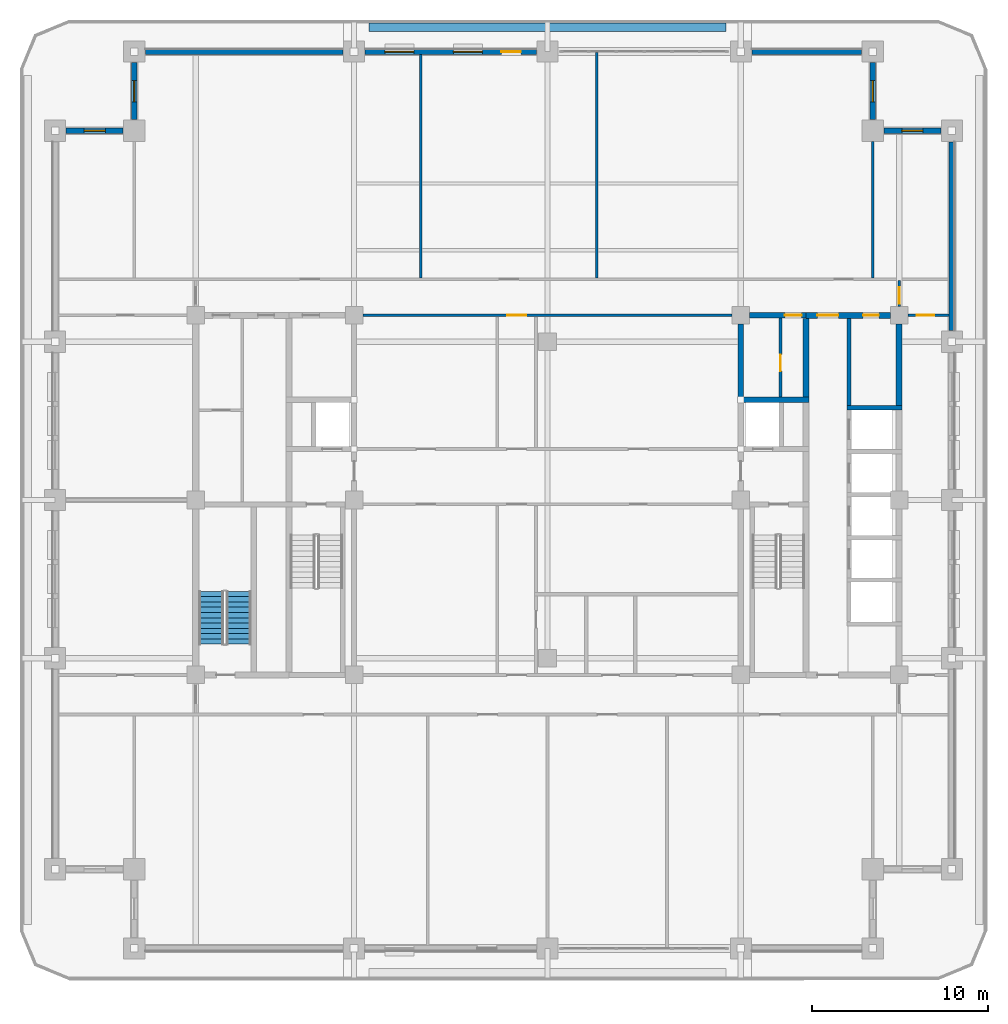
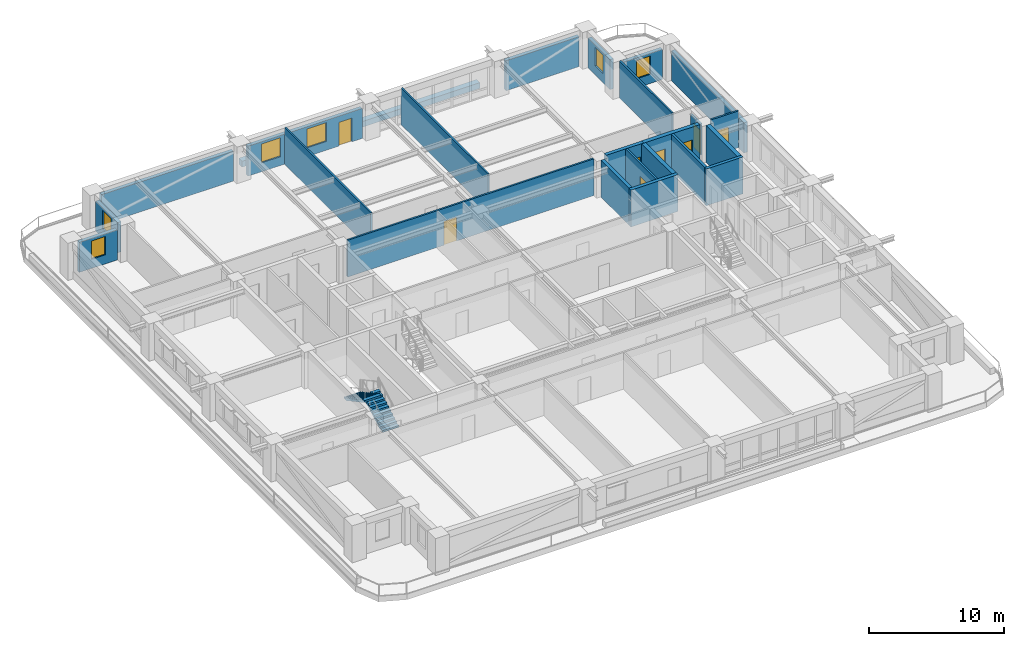
# One storey, part 11 of 20: 24 walls, 8 doors, 6 windows, 2 stair flights, 14 openings, 1 element without a shape of its own.
"""IFC4 building model written with IfcOpenShell, lengths in metres."""

import ifcopenshell
import ifcopenshell.guid

model = None  # the IFC model being written
_history = None  # IfcOwnerHistory: only IFC2X3 demands one
_inside = {}  # id of a spatial element -> (the spatial element, [elements in it])
_under = {}  # id of a project, library or spatial element -> (it, [spatial elements below it])
_declared = {}  # id of a project -> (the project, [libraries it declares])
_typed = {}  # id of a type object -> (the type object, [elements of that type])
_made_of = {}  # id of a material, layer set ... -> (it, [elements and type objects made of it])


def new_model(schema):
    """Start an empty IFC model of exactly this schema.

    Asked for "IFC4X3", IfcOpenShell would pick the latest addendum, in which some entities
    have other attributes; the version numbers below select the first issue.
    IFC2X3 requires an IfcOwnerHistory on every rooted entity: one is made here for all.
    """
    global model, _history
    if schema == "IFC4X3":
        model = ifcopenshell.file(schema_version=(4, 3, 0, 0))
    else:
        model = ifcopenshell.file(schema=schema)
    _inside.clear()
    _under.clear()
    _declared.clear()
    _typed.clear()
    _made_of.clear()
    _history = None
    if model.schema == "IFC2X3":
        org = make("IfcOrganization", Name="unknown")
        user = make(
            "IfcPersonAndOrganization",
            ThePerson=make("IfcPerson", FamilyName="unknown"),
            TheOrganization=org,
        )
        app = make(
            "IfcApplication",
            ApplicationDeveloper=org,
            Version="unknown",
            ApplicationFullName="unknown",
            ApplicationIdentifier="unknown",
        )
        _history = make(
            "IfcOwnerHistory",
            OwningUser=user,
            OwningApplication=app,
            ChangeAction="ADDED",
            CreationDate=0,
        )
    return model


def make(cls, **values):
    """One entity of the class cls with the attributes given. An attribute that is None is left unset."""
    return model.create_entity(
        cls, **{name: value for name, value in values.items() if value is not None}
    )


def rooted(cls, **values):
    """An entity with a GlobalId (a new one), such as an element, a storey or a relation."""
    return make(cls, GlobalId=ifcopenshell.guid.new(), OwnerHistory=_history, **values)


def si_unit(unit_type, name, prefix=None):
    """IfcSIUnit, for example si_unit("LENGTHUNIT", "METRE", prefix="MILLI")."""
    return make("IfcSIUnit", UnitType=unit_type, Prefix=prefix, Name=name)


def assignment(units):
    """IfcUnitAssignment: the units of a project."""
    return None if units is None else make("IfcUnitAssignment", Units=units)


def point(xyz):
    """IfcCartesianPoint."""
    return None if xyz is None else make("IfcCartesianPoint", Coordinates=xyz)


def direction(xyz):
    """IfcDirection."""
    return None if xyz is None else make("IfcDirection", DirectionRatios=xyz)


def frame(location, z_axis=None, x_axis=None):
    """IfcAxis2Placement3D, a coordinate frame: its origin and axes. An axis left out is left unset."""
    return make(
        "IfcAxis2Placement3D",
        Location=point(location),
        Axis=direction(z_axis),
        RefDirection=direction(x_axis),
    )


def frame_2d(location, x_axis=None):
    """IfcAxis2Placement2D, a coordinate frame in the plane: its origin and x axis."""
    return make(
        "IfcAxis2Placement2D", Location=point(location), RefDirection=direction(x_axis)
    )


def origin():
    """The frame at (0, 0, 0) with its axes left unset."""
    return frame((0.0, 0.0, 0.0))


def place(relative_to, where):
    """IfcLocalPlacement: puts the frame where relative to a parent placement (None: the world)."""
    return make(
        "IfcLocalPlacement", PlacementRelTo=relative_to, RelativePlacement=where
    )


def context(
    kind, dimensions, precision=None, world=None, true_north=None, identifier=None
):
    """IfcGeometricRepresentationContext, for example the 3D "Model" context."""
    return make(
        "IfcGeometricRepresentationContext",
        ContextIdentifier=identifier,
        ContextType=kind,
        CoordinateSpaceDimension=dimensions,
        Precision=precision,
        WorldCoordinateSystem=world,
        TrueNorth=true_north,
    )


def subcontext(parent, identifier, kind, view, scale=None):
    """IfcGeometricRepresentationSubContext, for example "Body" below "Model"."""
    return make(
        "IfcGeometricRepresentationSubContext",
        ContextIdentifier=identifier,
        ContextType=kind,
        ParentContext=parent,
        TargetScale=scale,
        TargetView=view,
    )


def project(units=None, contexts=None):
    """IfcProject with its units and contexts."""
    return rooted(
        "IfcProject",
        Name="project",
        RepresentationContexts=contexts,
        UnitsInContext=assignment(units),
    )


def spatial(cls, under=None, at=None, **own):
    """A site, building, storey or space (cls), placed at a placement, below another one or the project."""
    s = rooted(cls, ObjectPlacement=at, **own)
    if under is not None:
        _under.setdefault(under.id(), (under, []))[1].append(s)
    return s


def polyline(points):
    """IfcPolyline through the points."""
    return make("IfcPolyline", Points=[point(p) for p in points])


def profile(cls, at=None, kind="AREA", **sizes):
    """A parametric profile (cls). Its sizes go by their IFC names, for example OverallWidth=200.0."""
    return make(cls, ProfileType=kind, Position=at, **sizes)


def rectangle(**sizes):
    """IfcRectangleProfileDef."""
    return profile("IfcRectangleProfileDef", **sizes)


def outline(outer, holes=None, kind="AREA"):
    """IfcArbitraryClosedProfileDef: a profile drawn as a closed curve; with holes, ...WithVoids."""
    if holes is None:
        return make("IfcArbitraryClosedProfileDef", ProfileType=kind, OuterCurve=outer)
    return make(
        "IfcArbitraryProfileDefWithVoids",
        ProfileType=kind,
        OuterCurve=outer,
        InnerCurves=holes,
    )


def extrude(swept, where, along, depth):
    """IfcExtrudedAreaSolid: the profile swept, set in the frame where, extruded along a direction by depth."""
    return make(
        "IfcExtrudedAreaSolid",
        SweptArea=swept,
        Position=where,
        ExtrudedDirection=direction(along),
        Depth=depth,
    )


def shape(context_of_items, identifier, shape_type, items):
    """IfcShapeRepresentation: the items that make up one representation, for example the "Body"."""
    return make(
        "IfcShapeRepresentation",
        ContextOfItems=context_of_items,
        RepresentationIdentifier=identifier,
        RepresentationType=shape_type,
        Items=items,
    )


def material(Name=None, Category=None):
    """IfcMaterial."""
    return make("IfcMaterial", Name=Name, Category=Category)


def layer(
    of_material, thickness, ventilated=None, Name=None, Category=None, Priority=None
):
    """IfcMaterialLayer: one layer of a wall or slab, of a material (None: an air gap)."""
    return make(
        "IfcMaterialLayer",
        Material=of_material,
        LayerThickness=thickness,
        IsVentilated=ventilated,
        Name=Name,
        Category=Category,
        Priority=Priority,
    )


def layer_set(layers, Name=None):
    """IfcMaterialLayerSet."""
    return make("IfcMaterialLayerSet", MaterialLayers=layers, LayerSetName=Name)


def made_of(thing, what):
    """Note that an element or type object is made of a material, layer set ...; save() writes the relation."""
    if what is not None:
        _made_of.setdefault(what.id(), (what, []))[1].append(thing)
    return thing


def type_object(cls, material=None, **own):
    """A type object (cls), such as IfcWallType, which elements share."""
    return made_of(rooted(cls, **own), material)


def element(
    cls,
    number,
    at=None,
    inside=None,
    cuts=None,
    type_object=None,
    material=None,
    context=None,
    identifier="Body",
    shape_type=None,
    held_by="IfcProductDefinitionShape",
    body=None,
    shapes=None,
    **own,
):
    """One element of the class cls, such as IfcWall. Its Tag is "e" and its number.

    at: its placement. inside: the storey or other place that contains it. cuts: it is an
    opening in that element (IfcRelVoidsElement). A single representation is given by context,
    identifier, shape_type and body (its items); several are given by shapes. held_by: the class
    of the entity that holds the representations. save() writes the other relations.
    """
    e = rooted(cls, Tag="e%d" % number, ObjectPlacement=at, **own)
    if body is not None:
        shapes = [shape(context, identifier, shape_type, body)]
    if shapes is not None:
        e.Representation = make(held_by, Representations=shapes)
    if inside is not None:
        _inside.setdefault(inside.id(), (inside, []))[1].append(e)
    if cuts is not None:
        rooted(
            "IfcRelVoidsElement", RelatingBuildingElement=cuts, RelatedOpeningElement=e
        )
    if type_object is not None:
        _typed.setdefault(type_object.id(), (type_object, []))[1].append(e)
    return made_of(e, material)


def fill(opening, filler):
    """IfcRelFillsElement: the door or window that sits in an opening."""
    return rooted(
        "IfcRelFillsElement",
        RelatingOpeningElement=opening,
        RelatedBuildingElement=filler,
    )


def aggregate(whole, parts):
    """IfcRelAggregates: a whole, such as a stair, and the parts it consists of."""
    return rooted("IfcRelAggregates", RelatingObject=whole, RelatedObjects=parts)


def save(model, path):
    """Write the relations noted so far, then the file.

    IfcRelAggregates (storeys below a building ...), IfcRelContainedInSpatialStructure (elements
    in a storey), IfcRelDefinesByType, IfcRelAssociatesMaterial and IfcRelDeclares: one each for
    every whole, place, type object, material and project.
    """
    for whole, parts in _under.values():
        aggregate(whole, parts)
    for where, things in _inside.values():
        rooted(
            "IfcRelContainedInSpatialStructure",
            RelatedElements=things,
            RelatingStructure=where,
        )
    for kind, things in _typed.values():
        rooted("IfcRelDefinesByType", RelatedObjects=things, RelatingType=kind)
    for what, things in _made_of.values():
        rooted("IfcRelAssociatesMaterial", RelatedObjects=things, RelatingMaterial=what)
    for by, libraries in _declared.values():
        rooted("IfcRelDeclares", RelatingContext=by, RelatedDefinitions=libraries)
    model.write(path)


model = new_model("IFC4")

# Units and contexts
model_context = context("Model", 3, precision=1e-05, world=origin(), true_north=direction((0.0, 1.0)))
body_context = subcontext(model_context, "Body", "Model", "MODEL_VIEW")
ifc_project = project(units=[si_unit("LENGTHUNIT", "METRE"), si_unit("AREAUNIT", "SQUARE_METRE"), si_unit("VOLUMEUNIT", "CUBIC_METRE"), si_unit("PLANEANGLEUNIT", "RADIAN"), si_unit("MASSUNIT", "GRAM", prefix="KILO")], contexts=[model_context])

# Site, building, storey
site_placement = place(None, origin())
site = spatial("IfcSite", under=ifc_project, at=site_placement, CompositionType="ELEMENT")
building_placement = place(site_placement, origin())
building = spatial("IfcBuilding", under=site, at=building_placement, Name="Zulmaris Gate Convention Tower", CompositionType="ELEMENT")
storey_placement = place(building_placement, frame((0.0, 0.0, 142.769775390625)))
storey = spatial("IfcBuildingStorey", under=building, at=storey_placement, Name="L36", CompositionType="ELEMENT", Elevation=142.769775390625)

# Walls
ifc_material_1 = material(Name="Concrete C50/60", Category="concrete")
ifc_layer_1 = layer(ifc_material_1, 0.25, Name="Concrete C50/60")
ifc_layer_set_1 = layer_set([ifc_layer_1], Name="Concrete C50/60")
wall_type_1 = type_object("IfcWallType", Name="CORE-250", PredefinedType="SOLIDWALL", material=ifc_layer_set_1)
wall_1_placement = place(storey_placement, frame((17.02490234375, 5.25, 0.0), z_axis=(0.0, 0.0, 1.0), x_axis=(1.0, 0.0, 0.0)))
element("IfcWall", 1, at=wall_1_placement, inside=storey, type_object=wall_type_1, Name="WL-L36-014", PredefinedType="SOLIDWALL", context=body_context, shape_type="SweptSolid", body=[
    extrude(rectangle(XDim=3.150146484375, YDim=0.25, at=frame_2d((1.5751953125, 0.0))), origin(), (0.0, 0.0, 1.0), 3.320068359375),
])
ifc_layer_2 = layer(ifc_material_1, 0.300048828125, Name="Concrete C50/60")
ifc_layer_set_2 = layer_set([ifc_layer_2], Name="Concrete C50/60")
wall_type_2 = type_object("IfcWallType", Name="CORE-300", PredefinedType="SHEAR", material=ifc_layer_set_2)
wall_2_placement = place(storey_placement, frame((10.85009765625, 5.699951171875, 0.0), z_axis=(0.0, 0.0, 1.0), x_axis=(1.0, 0.0, 0.0)))
element("IfcWall", 2, at=wall_2_placement, inside=storey, type_object=wall_type_2, Name="WL-L36-016", PredefinedType="SHEAR", context=body_context, shape_type="SweptSolid", body=[
    extrude(rectangle(XDim=4.02490234375, YDim=0.300048828125, at=frame_2d((2.012451171875, 0.0))), origin(), (0.0, 0.0, 1.0), 3.320068359375),
])

# Wall, opening, door
wall_3_placement = place(storey_placement, frame((11.50390625, 10.5, 0.0), z_axis=(0.0, 0.0, 1.0), x_axis=(1.0, 0.0, 0.0)))
wall_3 = element("IfcWall", 3, at=wall_3_placement, inside=storey, type_object=wall_type_2, Name="WL-L36-019", PredefinedType="SHEAR", context=body_context, shape_type="SweptSolid", body=[
    extrude(rectangle(XDim=3.196044921875, YDim=0.300048828125, at=frame_2d((1.59814453125, 0.0))), origin(), (0.0, 0.0, 1.0), 3.320068359375),
])
opening_1_placement = place(wall_3_placement, frame((2.0009765625, 0.0, 0.0)))
opening_1 = element("IfcOpeningElement", 4, at=opening_1_placement, cuts=wall_3, Name="Opening D-11", PredefinedType="OPENING", context=body_context, shape_type="SweptSolid", body=[
    extrude(rectangle(XDim=0.949951171875, YDim=2.14990234375, at=frame_2d((0.47509765625, 1.074951171875))), frame((0.0, 0.16015625, 0.0), z_axis=(0.0, -1.0, 0.0), x_axis=(1.0, 0.0, 0.0)), (0.0, 0.0, 1.0), 0.320068359375),
])
ifc_material_2 = material(Name="Fire-Rated Timber", Category="wood")
door_type_1 = type_object("IfcDoorType", Name="DR-950-FD", OperationType="NOTDEFINED", PredefinedType="DOOR", material=ifc_material_2)
door_1_placement = place(opening_1_placement, origin())
door_1 = element("IfcDoor", 5, at=door_1_placement, inside=storey, type_object=door_type_1, Name="L36 Core Linen Closet Door 08", OperationType="SINGLE_SWING_RIGHT", OverallHeight=2.14990234375, OverallWidth=0.949951171875, PredefinedType="DOOR", context=body_context, shape_type="SweptSolid", body=[
    extrude(rectangle(XDim=0.949951171875, YDim=2.14990234375, at=frame_2d((0.47509765625, 1.074951171875))), frame((0.0, 0.02490234375, 0.0), z_axis=(0.0, -1.0, 0.0), x_axis=(1.0, 0.0, 0.0)), (0.0, 0.0, 1.0), 0.050048828125),
])
fill(opening_1, door_1)

# Wall
wall_4_placement = place(storey_placement, frame((11.0, 5.85205078125, 0.0), z_axis=(0.0, 0.0, 1.0), x_axis=(0.0, 1.0, 0.0)))
element("IfcWall", 6, at=wall_4_placement, inside=storey, type_object=wall_type_2, Name="WL-L36-050", PredefinedType="SHEAR", context=body_context, shape_type="SweptSolid", body=[
    extrude(rectangle(XDim=4.14404296875, YDim=0.300048828125, at=frame_2d((2.072021484375, 0.0))), origin(), (0.0, 0.0, 1.0), 3.320068359375),
])

# Wall, openings, doors
ifc_material_3 = material(Name="Concrete C55/67", Category="concrete")
ifc_layer_3 = layer(ifc_material_3, 0.35009765625, Name="Concrete C55/67")
ifc_layer_set_3 = layer_set([ifc_layer_3], Name="Concrete C55/67")
wall_type_3 = type_object("IfcWallType", Name="CORE-350", PredefinedType="SHEAR", material=ifc_layer_set_3)
wall_5_placement = place(storey_placement, frame((14.699951171875, 10.5, 0.0), z_axis=(0.0, 0.0, 1.0), x_axis=(1.0, 0.0, 0.0)))
wall_5 = element("IfcWall", 7, at=wall_5_placement, inside=storey, type_object=wall_type_3, Name="WL-L36-020", PredefinedType="SHEAR", context=body_context, shape_type="SweptSolid", body=[
    extrude(rectangle(XDim=4.796142578125, YDim=0.35009765625, at=frame_2d((2.39794921875, 0.0))), origin(), (0.0, 0.0, 1.0), 3.320068359375),
])
opening_2_placement = place(wall_5_placement, frame((0.64990234375, 0.0, 0.0)))
opening_2 = element("IfcOpeningElement", 8, at=opening_2_placement, cuts=wall_5, Name="Opening D-13", PredefinedType="OPENING", context=body_context, shape_type="SweptSolid", body=[
    extrude(rectangle(XDim=1.199951171875, YDim=2.14990234375, at=frame_2d((0.60009765625, 1.074951171875))), frame((0.0, 0.18505859375, 0.0), z_axis=(0.0, -1.0, 0.0), x_axis=(1.0, 0.0, 0.0)), (0.0, 0.0, 1.0), 0.3701171875),
])
opening_3_placement = place(wall_5_placement, frame((3.25, 0.0, 0.0)))
opening_3 = element("IfcOpeningElement", 9, at=opening_3_placement, cuts=wall_5, Name="Opening D-12", PredefinedType="OPENING", context=body_context, shape_type="SweptSolid", body=[
    extrude(rectangle(XDim=0.89990234375, YDim=2.14990234375, at=frame_2d((0.449951171875, 1.074951171875))), frame((0.0, 0.18505859375, 0.0), z_axis=(0.0, -1.0, 0.0), x_axis=(1.0, 0.0, 0.0)), (0.0, 0.0, 1.0), 0.3701171875),
])
ifc_material_4 = material(Name="Fire-Rated Steel", Category="steel")
door_type_2 = type_object("IfcDoorType", Name="DR-1200-FD", OperationType="NOTDEFINED", PredefinedType="DOOR", material=ifc_material_4)
door_2_placement = place(opening_2_placement, origin())
door_2 = element("IfcDoor", 10, at=door_2_placement, inside=storey, type_object=door_type_2, Name="L36 East Lift Lobby North Door 19", OperationType="SINGLE_SWING_LEFT", OverallHeight=2.14990234375, OverallWidth=1.199951171875, PredefinedType="DOOR", context=body_context, shape_type="SweptSolid", body=[
    extrude(rectangle(XDim=1.199951171875, YDim=2.14990234375, at=frame_2d((0.60009765625, 1.074951171875))), frame((0.0, 0.02490234375, 0.0), z_axis=(0.0, -1.0, 0.0), x_axis=(1.0, 0.0, 0.0)), (0.0, 0.0, 1.0), 0.050048828125),
])
fill(opening_2, door_2)
door_type_3 = type_object("IfcDoorType", Name="DR-900-FD", OperationType="NOTDEFINED", PredefinedType="DOOR", material=ifc_material_2)
door_3_placement = place(opening_3_placement, origin())
door_3 = element("IfcDoor", 11, at=door_3_placement, inside=storey, type_object=door_type_3, Name="L36 Mid-Rise Archive Door 20", OperationType="SINGLE_SWING_RIGHT", OverallHeight=2.14990234375, OverallWidth=0.89990234375, PredefinedType="DOOR", context=body_context, shape_type="SweptSolid", body=[
    extrude(rectangle(XDim=0.89990234375, YDim=2.14990234375, at=frame_2d((0.449951171875, 1.074951171875))), frame((0.0, 0.02490234375, 0.0), z_axis=(0.0, -1.0, 0.0), x_axis=(1.0, 0.0, 0.0)), (0.0, 0.0, 1.0), 0.050048828125),
])
fill(opening_3, door_3)

# Walls
wall_6_placement = place(storey_placement, frame((14.699951171875, 5.85205078125, 0.0), z_axis=(0.0, 0.0, 1.0), x_axis=(0.0, 1.0, 0.0)))
element("IfcWall", 12, at=wall_6_placement, inside=storey, type_object=wall_type_3, Name="WL-L36-056", PredefinedType="SHEAR", context=body_context, shape_type="SweptSolid", body=[
    extrude(rectangle(XDim=4.470947265625, YDim=0.35009765625, at=frame_2d((2.2353515625, 0.0))), origin(), (0.0, 0.0, 1.0), 3.320068359375),
])
wall_7_placement = place(storey_placement, frame((20.0, 5.376953125, 0.0), z_axis=(0.0, 0.0, 1.0), x_axis=(0.0, 1.0, 0.0)))
element("IfcWall", 13, at=wall_7_placement, inside=storey, type_object=wall_type_3, Name="WL-L36-068", PredefinedType="SHEAR", context=body_context, shape_type="SweptSolid", body=[
    extrude(rectangle(XDim=4.619140625, YDim=0.35009765625, at=frame_2d((2.3095703125, 0.0))), origin(), (0.0, 0.0, 1.0), 3.320068359375),
])

# Wall, opening, door
ifc_material_5 = material(Name="Gypsum Metal Stud Partition")
ifc_layer_4 = layer(ifc_material_5, 0.14990234375, Name="Gypsum Metal Stud Partition")
ifc_layer_set_4 = layer_set([ifc_layer_4], Name="Gypsum Metal Stud Partition")
wall_type_4 = type_object("IfcWallType", Name="PART-150", PredefinedType="PARTITIONING", material=ifc_layer_set_4)
wall_8_placement = place(storey_placement, frame((-10.493896484375, 10.5, 0.0), z_axis=(0.0, 0.0, 1.0), x_axis=(1.0, 0.0, 0.0)))
wall_8 = element("IfcWall", 14, at=wall_8_placement, inside=storey, type_object=wall_type_4, Name="WL-L36-031", PredefinedType="PARTITIONING", context=body_context, shape_type="SweptSolid", body=[
    extrude(rectangle(XDim=20.98779296875, YDim=0.14990234375, at=frame_2d((10.493896484375, 0.0))), origin(), (0.0, 0.0, 1.0), 3.320068359375),
])
opening_4_placement = place(wall_8_placement, frame((8.194091796875, 0.0, 0.0)))
opening_4 = element("IfcOpeningElement", 15, at=opening_4_placement, cuts=wall_8, Name="Opening D-08", PredefinedType="OPENING", context=body_context, shape_type="SweptSolid", body=[
    extrude(rectangle(XDim=1.10009765625, YDim=2.14990234375, at=frame_2d((0.550048828125, 1.074951171875))), frame((0.0, 0.0849609375, 0.0), z_axis=(0.0, -1.0, 0.0), x_axis=(1.0, 0.0, 0.0)), (0.0, 0.0, 1.0), 0.169921875),
])
door_type_4 = type_object("IfcDoorType", Name="DR-1100-FD", OperationType="NOTDEFINED", PredefinedType="DOOR", material=ifc_material_4)
door_4_placement = place(opening_4_placement, origin())
door_4 = element("IfcDoor", 16, at=door_4_placement, inside=storey, type_object=door_type_4, Name="L36 North Gallery Link Door 21", OperationType="SINGLE_SWING_LEFT", OverallHeight=2.14990234375, OverallWidth=1.10009765625, PredefinedType="DOOR", context=body_context, shape_type="SweptSolid", body=[
    extrude(rectangle(XDim=1.10009765625, YDim=2.14990234375, at=frame_2d((0.550048828125, 1.074951171875))), frame((0.0, 0.02490234375, 0.0), z_axis=(0.0, -1.0, 0.0), x_axis=(1.0, 0.0, 0.0)), (0.0, 0.0, 1.0), 0.050048828125),
])
fill(opening_4, door_4)

wall_9_placement = place(storey_placement, frame((20.506103515625, 10.5, 0.0), z_axis=(0.0, 0.0, 1.0), x_axis=(1.0, 0.0, 0.0)))
wall_9 = element("IfcWall", 17, at=wall_9_placement, inside=storey, type_object=wall_type_4, Name="WL-L36-032", PredefinedType="PARTITIONING", context=body_context, shape_type="SweptSolid", body=[
    extrude(rectangle(XDim=2.328857421875, YDim=0.14990234375, at=frame_2d((1.16455078125, 0.0))), origin(), (0.0, 0.0, 1.0), 3.320068359375),
])
opening_5_placement = place(wall_9_placement, frame((0.493896484375, 0.0, 0.0)))
opening_5 = element("IfcOpeningElement", 18, at=opening_5_placement, cuts=wall_9, Name="Opening D-10", PredefinedType="OPENING", context=body_context, shape_type="SweptSolid", body=[
    extrude(rectangle(XDim=1.0, YDim=2.14990234375, at=frame_2d((0.5, 1.074951171875))), frame((0.0, 0.0849609375, 0.0), z_axis=(0.0, -1.0, 0.0), x_axis=(1.0, 0.0, 0.0)), (0.0, 0.0, 1.0), 0.169921875),
])
door_type_5 = type_object("IfcDoorType", Name="DR-1000-FD", OperationType="NOTDEFINED", PredefinedType="DOOR", material=ifc_material_2)
door_5_placement = place(opening_5_placement, origin())
door_5 = element("IfcDoor", 19, at=door_5_placement, inside=storey, type_object=door_type_5, Name="L36 East Workplace North Door 45", OperationType="SINGLE_SWING_LEFT", OverallHeight=2.14990234375, OverallWidth=1.0, PredefinedType="DOOR", context=body_context, shape_type="SweptSolid", body=[
    extrude(rectangle(XDim=1.0, YDim=2.14990234375, at=frame_2d((0.5, 1.074951171875))), frame((0.0, 0.02490234375, 0.0), z_axis=(0.0, -1.0, 0.0), x_axis=(1.0, 0.0, 0.0)), (0.0, 0.0, 1.0), 0.050048828125),
])
fill(opening_5, door_5)

# Walls
wall_10_placement = place(storey_placement, frame((-7.199951171875, 12.6279296875, 0.0), z_axis=(0.0, 0.0, 1.0), x_axis=(0.0, 1.0, 0.0)))
element("IfcWall", 20, at=wall_10_placement, inside=storey, type_object=wall_type_4, Name="WL-L36-075", PredefinedType="PARTITIONING", context=body_context, shape_type="SweptSolid", body=[
    extrude(rectangle(XDim=12.70703125, YDim=0.14990234375, at=frame_2d((6.353515625, 0.0))), origin(), (0.0, 0.0, 1.0), 3.320068359375),
])
wall_11_placement = place(storey_placement, frame((2.800048828125, 12.6279296875, 0.0), z_axis=(0.0, 0.0, 1.0), x_axis=(0.0, 1.0, 0.0)))
element("IfcWall", 21, at=wall_11_placement, inside=storey, type_object=wall_type_4, Name="WL-L36-084", PredefinedType="PARTITIONING", context=body_context, shape_type="SweptSolid", body=[
    extrude(rectangle(XDim=12.81201171875, YDim=0.14990234375, at=frame_2d((6.406005859375, 0.0))), origin(), (0.0, 0.0, 1.0), 3.320068359375),
])

# Wall, opening, door
wall_12_placement = place(storey_placement, frame((13.25, 5.85302734375, 0.0), z_axis=(0.0, 0.0, 1.0), x_axis=(0.0, 1.0, 0.0)))
wall_12 = element("IfcWall", 22, at=wall_12_placement, inside=storey, type_object=wall_type_4, Name="WL-L36-087", PredefinedType="PARTITIONING", context=body_context, shape_type="SweptSolid", body=[
    extrude(rectangle(XDim=4.493896484375, YDim=0.14990234375, at=frame_2d((2.2470703125, 0.0))), origin(), (0.0, 0.0, 1.0), 3.320068359375),
])
opening_6_placement = place(wall_12_placement, frame((1.471923828125, 0.0, 0.0)))
opening_6 = element("IfcOpeningElement", 23, at=opening_6_placement, cuts=wall_12, Name="Opening D-11", PredefinedType="OPENING", context=body_context, shape_type="SweptSolid", body=[
    extrude(rectangle(XDim=0.949951171875, YDim=2.14990234375, at=frame_2d((0.47509765625, 1.074951171875))), frame((0.0, 0.0849609375, 0.0), z_axis=(0.0, -1.0, 0.0), x_axis=(1.0, 0.0, 0.0)), (0.0, 0.0, 1.0), 0.169921875),
])
door_6_placement = place(opening_6_placement, origin())
door_6 = element("IfcDoor", 24, at=door_6_placement, inside=storey, type_object=door_type_1, Name="L36 Core Service Pantry Door 09", OperationType="SINGLE_SWING_LEFT", OverallHeight=2.14990234375, OverallWidth=0.949951171875, PredefinedType="DOOR", context=body_context, shape_type="SweptSolid", body=[
    extrude(rectangle(XDim=0.949951171875, YDim=2.14990234375, at=frame_2d((0.47509765625, 1.074951171875))), frame((0.0, 0.02490234375, 0.0), z_axis=(0.0, -1.0, 0.0), x_axis=(1.0, 0.0, 0.0)), (0.0, 0.0, 1.0), 0.050048828125),
])
fill(opening_6, door_6)

# Wall
wall_13_placement = place(storey_placement, frame((18.5, 12.6279296875, 0.0), z_axis=(0.0, 0.0, 1.0), x_axis=(0.0, 1.0, 0.0)))
element("IfcWall", 25, at=wall_13_placement, inside=storey, type_object=wall_type_4, Name="WL-L36-090", PredefinedType="PARTITIONING", context=body_context, shape_type="SweptSolid", body=[
    extrude(rectangle(XDim=7.76611328125, YDim=0.14990234375, at=frame_2d((3.883056640625, 0.0))), origin(), (0.0, 0.0, 1.0), 3.320068359375),
])

# Wall, opening, door
wall_14_placement = place(storey_placement, frame((20.0, 11.006103515625, 0.0), z_axis=(0.0, 0.0, 1.0), x_axis=(0.0, 1.0, 0.0)))
wall_14 = element("IfcWall", 26, at=wall_14_placement, inside=storey, type_object=wall_type_4, Name="WL-L36-092", PredefinedType="PARTITIONING", context=body_context, shape_type="SweptSolid", body=[
    extrude(rectangle(XDim=1.4658203125, YDim=0.14990234375, at=frame_2d((0.73291015625, 0.0))), origin(), (0.0, 0.0, 1.0), 2.81005859375),
])
opening_7_placement = place(wall_14_placement, frame((0.14990234375, 0.0, 0.0)))
opening_7 = element("IfcOpeningElement", 27, at=opening_7_placement, cuts=wall_14, Name="Opening D-11", PredefinedType="OPENING", context=body_context, shape_type="SweptSolid", body=[
    extrude(rectangle(XDim=0.949951171875, YDim=2.14990234375, at=frame_2d((0.47509765625, 1.074951171875))), frame((0.0, 0.0849609375, 0.0), z_axis=(0.0, -1.0, 0.0), x_axis=(1.0, 0.0, 0.0)), (0.0, 0.0, 1.0), 0.169921875),
])
door_7_placement = place(opening_7_placement, origin())
door_7 = element("IfcDoor", 28, at=door_7_placement, inside=storey, type_object=door_type_1, Name="L36 NE Spur Door 43", OperationType="SINGLE_SWING_LEFT", OverallHeight=2.14990234375, OverallWidth=0.949951171875, PredefinedType="DOOR", context=body_context, shape_type="SweptSolid", body=[
    extrude(rectangle(XDim=0.949951171875, YDim=2.14990234375, at=frame_2d((0.47509765625, 1.074951171875))), frame((0.0, 0.02490234375, 0.0), z_axis=(0.0, -1.0, 0.0), x_axis=(1.0, 0.0, 0.0)), (0.0, 0.0, 1.0), 0.050048828125),
])
fill(opening_7, door_7)

# Walls
ifc_material_6 = material(Name="Autoclaved Aerated Concrete Block and Plasterboard", Category="concrete")
ifc_layer_5 = layer(ifc_material_6, 0.199951171875, Name="Autoclaved Aerated Concrete Block and Plasterboard")
ifc_layer_set_5 = layer_set([ifc_layer_5], Name="Autoclaved Aerated Concrete Block and Plasterboard")
wall_type_5 = type_object("IfcWallType", Name="PART-200", PredefinedType="PARTITIONING", material=ifc_layer_set_5)
wall_15_placement = place(storey_placement, frame((17.14990234375, 5.3779296875, 0.0), z_axis=(0.0, 0.0, 1.0), x_axis=(0.0, 1.0, 0.0)))
element("IfcWall", 29, at=wall_15_placement, inside=storey, type_object=wall_type_5, Name="WL-L36-088", PredefinedType="PARTITIONING", context=body_context, shape_type="SweptSolid", body=[
    extrude(rectangle(XDim=4.944091796875, YDim=0.199951171875, at=frame_2d((2.47216796875, 0.0))), origin(), (0.0, 0.0, 1.0), 3.320068359375),
])
ifc_material_7 = material(Name="Botanical Green Glazed Precast Concrete C40/50", Category="concrete")
ifc_layer_6 = layer(ifc_material_7, 0.419921875, Name="Botanical Green Glazed Precast Concrete C40/50")
ifc_layer_set_6 = layer_set([ifc_layer_6], Name="Botanical Green Glazed Precast Concrete C40/50")
wall_type_6 = type_object("IfcWallType", Name="PLANTER-CURB-200", PredefinedType="PARAPET", material=ifc_layer_set_6)
wall_16_placement = place(storey_placement, frame((-10.14990234375, 26.8798828125, -0.0400390625), z_axis=(0.0, 0.0, 1.0), x_axis=(1.0, 0.0, 0.0)))
element("IfcWall", 30, at=wall_16_placement, inside=storey, type_object=wall_type_6, Name="L36 Full-Length Balcony Tree Planter Trough", PredefinedType="PARAPET", context=body_context, shape_type="SweptSolid", body=[
    extrude(rectangle(XDim=20.2998046875, YDim=0.47998046875, at=frame_2d((10.14990234375, 0.0))), origin(), (0.0, 0.0, 1.0), 0.52001953125),
])

# Wall, opening, window
ifc_material_8 = material(Name="Precast concrete C40/50", Category="concrete")
ifc_layer_7 = layer(ifc_material_8, 0.300048828125, Name="Precast concrete C40/50")
ifc_layer_set_7 = layer_set([ifc_layer_7], Name="Precast concrete C40/50")
wall_type_7 = type_object("IfcWallType", Name="PRECAST-PIER-300", PredefinedType="STANDARD", material=ifc_layer_set_7)
wall_17_placement = place(storey_placement, frame((22.3701171875, 21.0, 0.0), z_axis=(0.0, 0.0, 1.0), x_axis=(-1.0, 0.0, 0.0)))
wall_17 = element("IfcWall", 31, at=wall_17_placement, inside=storey, type_object=wall_type_7, Name="EW-L36-NOTCH-NE1_0", PredefinedType="STANDARD", context=body_context, shape_type="SweptSolid", body=[
    extrude(rectangle(XDim=3.240234375, YDim=0.300048828125, at=frame_2d((1.6201171875, 0.0))), origin(), (0.0, 0.0, 1.0), 2.7119140625),
])
opening_8_placement = place(wall_17_placement, frame((1.02001953125, 0.0, 0.820068359375)))
opening_8 = element("IfcOpeningElement", 32, at=opening_8_placement, cuts=wall_17, Name="Opening W-04", PredefinedType="OPENING", context=body_context, shape_type="SweptSolid", body=[
    extrude(rectangle(XDim=1.199951171875, YDim=1.64990234375, at=frame_2d((0.60009765625, 0.824951171875))), frame((0.0, 0.16015625, 0.0), z_axis=(0.0, -1.0, 0.0), x_axis=(1.0, 0.0, 0.0)), (0.0, 0.0, 1.0), 0.320068359375),
])
ifc_material_9 = material(Name="Low-E Laminated Double Glazing in Aluminium Frame", Category="aluminium")
window_type_1 = type_object("IfcWindowType", Name="WIN-1200x2100", PartitioningType="SINGLE_PANEL", PredefinedType="WINDOW", material=ifc_material_9)
window_1_placement = place(opening_8_placement, origin())
window_1 = element("IfcWindow", 33, at=window_1_placement, inside=storey, type_object=window_type_1, Name="WN-EW-L36-NOTCH-NE1_0", OverallHeight=1.64990234375, OverallWidth=1.199951171875, PartitioningType="SINGLE_PANEL", PredefinedType="WINDOW", context=body_context, shape_type="SweptSolid", body=[
    extrude(rectangle(XDim=1.199951171875, YDim=1.64990234375, at=frame_2d((0.60009765625, 0.824951171875))), frame((0.0, 0.030029296875, 0.0), z_axis=(0.0, -1.0, 0.0), x_axis=(1.0, 0.0, 0.0)), (0.0, 0.0, 1.0), 0.06005859375),
])
fill(opening_8, window_1)

wall_18_placement = place(storey_placement, frame((18.5, 21.6298828125, 0.0), z_axis=(0.0, 0.0, 1.0), x_axis=(0.0, 1.0, 0.0)))
wall_18 = element("IfcWall", 34, at=wall_18_placement, inside=storey, type_object=wall_type_7, Name="EW-L36-NOTCH-NE2_0", PredefinedType="STANDARD", context=body_context, shape_type="SweptSolid", body=[
    extrude(rectangle(XDim=3.240234375, YDim=0.300048828125, at=frame_2d((1.6201171875, 0.0))), origin(), (0.0, 0.0, 1.0), 2.7119140625),
])
opening_9_placement = place(wall_18_placement, frame((1.02001953125, 0.0, 0.820068359375)))
opening_9 = element("IfcOpeningElement", 35, at=opening_9_placement, cuts=wall_18, Name="Opening W-04", PredefinedType="OPENING", context=body_context, shape_type="SweptSolid", body=[
    extrude(rectangle(XDim=1.199951171875, YDim=1.64990234375, at=frame_2d((0.60009765625, 0.824951171875))), frame((0.0, 0.16015625, 0.0), z_axis=(0.0, -1.0, 0.0), x_axis=(1.0, 0.0, 0.0)), (0.0, 0.0, 1.0), 0.320068359375),
])
window_2_placement = place(opening_9_placement, origin())
window_2 = element("IfcWindow", 36, at=window_2_placement, inside=storey, type_object=window_type_1, Name="WN-EW-L36-NOTCH-NE2_0", OverallHeight=1.64990234375, OverallWidth=1.199951171875, PartitioningType="SINGLE_PANEL", PredefinedType="WINDOW", context=body_context, shape_type="SweptSolid", body=[
    extrude(rectangle(XDim=1.199951171875, YDim=1.64990234375, at=frame_2d((0.60009765625, 0.824951171875))), frame((0.0, 0.030029296875, 0.0), z_axis=(0.0, -1.0, 0.0), x_axis=(1.0, 0.0, 0.0)), (0.0, 0.0, 1.0), 0.06005859375),
])
fill(opening_9, window_2)

wall_19_placement = place(storey_placement, frame((-23.5, 24.8701171875, 0.0), z_axis=(0.0, 0.0, 1.0), x_axis=(0.0, -1.0, 0.0)))
wall_19 = element("IfcWall", 37, at=wall_19_placement, inside=storey, type_object=wall_type_7, Name="EW-L36-NOTCH-NW1_0", PredefinedType="STANDARD", context=body_context, shape_type="SweptSolid", body=[
    extrude(rectangle(XDim=3.240234375, YDim=0.300048828125, at=frame_2d((1.6201171875, 0.0))), origin(), (0.0, 0.0, 1.0), 2.7119140625),
])
opening_10_placement = place(wall_19_placement, frame((1.02001953125, 0.0, 0.820068359375)))
opening_10 = element("IfcOpeningElement", 38, at=opening_10_placement, cuts=wall_19, Name="Opening W-04", PredefinedType="OPENING", context=body_context, shape_type="SweptSolid", body=[
    extrude(rectangle(XDim=1.199951171875, YDim=1.64990234375, at=frame_2d((0.60009765625, 0.824951171875))), frame((0.0, 0.16015625, 0.0), z_axis=(0.0, -1.0, 0.0), x_axis=(1.0, 0.0, 0.0)), (0.0, 0.0, 1.0), 0.320068359375),
])
window_3_placement = place(opening_10_placement, origin())
window_3 = element("IfcWindow", 39, at=window_3_placement, inside=storey, type_object=window_type_1, Name="WN-EW-L36-NOTCH-NW1_0", OverallHeight=1.64990234375, OverallWidth=1.199951171875, PartitioningType="SINGLE_PANEL", PredefinedType="WINDOW", context=body_context, shape_type="SweptSolid", body=[
    extrude(rectangle(XDim=1.199951171875, YDim=1.64990234375, at=frame_2d((0.60009765625, 0.824951171875))), frame((0.0, 0.030029296875, 0.0), z_axis=(0.0, -1.0, 0.0), x_axis=(1.0, 0.0, 0.0)), (0.0, 0.0, 1.0), 0.06005859375),
])
fill(opening_10, window_3)

wall_20_placement = place(storey_placement, frame((-24.1298828125, 21.0, 0.0), z_axis=(0.0, 0.0, 1.0), x_axis=(-1.0, 0.0, 0.0)))
wall_20 = element("IfcWall", 40, at=wall_20_placement, inside=storey, type_object=wall_type_7, Name="EW-L36-NOTCH-NW2_0", PredefinedType="STANDARD", context=body_context, shape_type="SweptSolid", body=[
    extrude(rectangle(XDim=3.240234375, YDim=0.300048828125, at=frame_2d((1.6201171875, 0.0))), origin(), (0.0, 0.0, 1.0), 2.7119140625),
])
opening_11_placement = place(wall_20_placement, frame((1.02001953125, 0.0, 0.820068359375)))
opening_11 = element("IfcOpeningElement", 41, at=opening_11_placement, cuts=wall_20, Name="Opening W-04", PredefinedType="OPENING", context=body_context, shape_type="SweptSolid", body=[
    extrude(rectangle(XDim=1.199951171875, YDim=1.64990234375, at=frame_2d((0.60009765625, 0.824951171875))), frame((0.0, 0.16015625, 0.0), z_axis=(0.0, -1.0, 0.0), x_axis=(1.0, 0.0, 0.0)), (0.0, 0.0, 1.0), 0.320068359375),
])
window_4_placement = place(opening_11_placement, origin())
window_4 = element("IfcWindow", 42, at=window_4_placement, inside=storey, type_object=window_type_1, Name="WN-EW-L36-NOTCH-NW2_0", OverallHeight=1.64990234375, OverallWidth=1.199951171875, PartitioningType="SINGLE_PANEL", PredefinedType="WINDOW", context=body_context, shape_type="SweptSolid", body=[
    extrude(rectangle(XDim=1.199951171875, YDim=1.64990234375, at=frame_2d((0.60009765625, 0.824951171875))), frame((0.0, 0.030029296875, 0.0), z_axis=(0.0, -1.0, 0.0), x_axis=(1.0, 0.0, 0.0)), (0.0, 0.0, 1.0), 0.06005859375),
])
fill(opening_11, window_4)

# Wall
wall_21_placement = place(storey_placement, frame((-11.6298828125, 25.5, 0.0), z_axis=(0.0, 0.0, 1.0), x_axis=(-1.0, 0.0, 0.0)))
element("IfcWall", 43, at=wall_21_placement, inside=storey, type_object=wall_type_7, Name="EW-L36-N-0_0", PredefinedType="STANDARD", context=body_context, shape_type="SweptSolid", body=[
    extrude(rectangle(XDim=11.240234375, YDim=0.300048828125, at=frame_2d((5.6201171875, 0.0))), origin(), (0.0, 0.0, 1.0), 2.7119140625),
])

# Wall, openings, door, windows
wall_22_placement = place(storey_placement, frame((-0.6298828125, 25.5, 0.0), z_axis=(0.0, 0.0, 1.0), x_axis=(-1.0, 0.0, 0.0)))
wall_22 = element("IfcWall", 44, at=wall_22_placement, inside=storey, type_object=wall_type_7, Name="EW-L36-N-1_0", PredefinedType="STANDARD", context=body_context, shape_type="SweptSolid", body=[
    extrude(rectangle(XDim=9.740234375, YDim=0.300048828125, at=frame_2d((4.8701171875, 0.0))), origin(), (0.0, 0.0, 1.0), 2.7119140625),
])
opening_12_placement = place(wall_22_placement, frame((0.886962890625, 0.0, 0.0)))
opening_12 = element("IfcOpeningElement", 45, at=opening_12_placement, cuts=wall_22, Name="Opening D-04", PredefinedType="OPENING", context=body_context, shape_type="SweptSolid", body=[
    extrude(rectangle(XDim=1.10009765625, YDim=2.14990234375, at=frame_2d((0.550048828125, 1.074951171875))), frame((0.0, 0.16015625, 0.0), z_axis=(0.0, -1.0, 0.0), x_axis=(1.0, 0.0, 0.0)), (0.0, 0.0, 1.0), 0.320068359375),
])
opening_13_placement = place(wall_22_placement, frame((3.071044921875, 0.0, 0.800048828125)))
opening_13 = element("IfcOpeningElement", 46, at=opening_13_placement, cuts=wall_22, Name="Opening W-08", PredefinedType="OPENING", context=body_context, shape_type="SweptSolid", body=[
    extrude(rectangle(XDim=1.64990234375, YDim=1.699951171875, at=frame_2d((0.824951171875, 0.85009765625))), frame((0.0, 0.16015625, 0.0), z_axis=(0.0, -1.0, 0.0), x_axis=(1.0, 0.0, 0.0)), (0.0, 0.0, 1.0), 0.320068359375),
])
opening_14_placement = place(wall_22_placement, frame((6.967041015625, 0.0, 0.800048828125)))
opening_14 = element("IfcOpeningElement", 47, at=opening_14_placement, cuts=wall_22, Name="Opening W-08", PredefinedType="OPENING", context=body_context, shape_type="SweptSolid", body=[
    extrude(rectangle(XDim=1.64990234375, YDim=1.699951171875, at=frame_2d((0.824951171875, 0.85009765625))), frame((0.0, 0.16015625, 0.0), z_axis=(0.0, -1.0, 0.0), x_axis=(1.0, 0.0, 0.0)), (0.0, 0.0, 1.0), 0.320068359375),
])
ifc_material_10 = material(Name="Anodised Aluminium and Laminated Glass", Category="aluminium")
door_type_6 = type_object("IfcDoorType", Name="ED-1100", OperationType="SINGLE_SWING_RIGHT", PredefinedType="DOOR", material=ifc_material_10)
door_8_placement = place(opening_12_placement, origin())
door_8 = element("IfcDoor", 48, at=door_8_placement, inside=storey, type_object=door_type_6, Name="L36 N Planted Terrace Door", OperationType="SINGLE_SWING_LEFT", OverallHeight=2.14990234375, OverallWidth=1.10009765625, PredefinedType="DOOR", context=body_context, shape_type="SweptSolid", body=[
    extrude(rectangle(XDim=1.10009765625, YDim=2.14990234375, at=frame_2d((0.550048828125, 1.074951171875))), frame((0.0, 0.02490234375, 0.0), z_axis=(0.0, -1.0, 0.0), x_axis=(1.0, 0.0, 0.0)), (0.0, 0.0, 1.0), 0.050048828125),
])
fill(opening_12, door_8)
window_type_2 = type_object("IfcWindowType", Name="WIN-1650x2150", PartitioningType="SINGLE_PANEL", PredefinedType="WINDOW", material=ifc_material_9)
window_5_placement = place(opening_13_placement, origin())
window_5 = element("IfcWindow", 49, at=window_5_placement, inside=storey, type_object=window_type_2, Name="WN-EW-L36-N-1_0-2", OverallHeight=1.699951171875, OverallWidth=1.64990234375, PartitioningType="SINGLE_PANEL", PredefinedType="WINDOW", context=body_context, shape_type="SweptSolid", body=[
    extrude(rectangle(XDim=1.64990234375, YDim=1.699951171875, at=frame_2d((0.824951171875, 0.85009765625))), frame((0.0, 0.030029296875, 0.0), z_axis=(0.0, -1.0, 0.0), x_axis=(1.0, 0.0, 0.0)), (0.0, 0.0, 1.0), 0.06005859375),
])
fill(opening_13, window_5)
window_6_placement = place(opening_14_placement, origin())
window_6 = element("IfcWindow", 50, at=window_6_placement, inside=storey, type_object=window_type_2, Name="WN-EW-L36-N-1_0-4", OverallHeight=1.699951171875, OverallWidth=1.64990234375, PartitioningType="SINGLE_PANEL", PredefinedType="WINDOW", context=body_context, shape_type="SweptSolid", body=[
    extrude(rectangle(XDim=1.64990234375, YDim=1.699951171875, at=frame_2d((0.824951171875, 0.85009765625))), frame((0.0, 0.030029296875, 0.0), z_axis=(0.0, -1.0, 0.0), x_axis=(1.0, 0.0, 0.0)), (0.0, 0.0, 1.0), 0.06005859375),
])
fill(opening_14, window_6)

# Walls
wall_23_placement = place(storey_placement, frame((17.8701171875, 25.5, 0.0), z_axis=(0.0, 0.0, 1.0), x_axis=(-1.0, 0.0, 0.0)))
element("IfcWall", 51, at=wall_23_placement, inside=storey, type_object=wall_type_7, Name="EW-L36-N-3_0", PredefinedType="STANDARD", context=body_context, shape_type="SweptSolid", body=[
    extrude(rectangle(XDim=6.240234375, YDim=0.300048828125, at=frame_2d((3.1201171875, 0.0))), origin(), (0.0, 0.0, 1.0), 2.7119140625),
])
wall_24_placement = place(storey_placement, frame((23.0, 9.6298828125, 0.0), z_axis=(0.0, 0.0, 1.0), x_axis=(0.0, 1.0, 0.0)))
element("IfcWall", 52, at=wall_24_placement, inside=storey, type_object=wall_type_7, Name="EW-L36-E-3_0", PredefinedType="STANDARD", context=body_context, shape_type="SweptSolid", body=[
    extrude(rectangle(XDim=10.740234375, YDim=0.300048828125, at=frame_2d((5.3701171875, 0.0))), origin(), (0.0, 0.0, 1.0), 2.7119140625),
])

# Stair, stair flights
ifc_material_11 = material(Name="Concrete C45/55", Category="concrete")
stair_type = type_object("IfcStairType", Name="ST-CORE-DOGLEG", PredefinedType="HALF_TURN_STAIR", material=ifc_material_11)
stair_placement = place(storey_placement, origin())
stair = element("IfcStair", 53, at=stair_placement, inside=storey, type_object=stair_type, Name="L36 Core Exit Stair ST-3", PredefinedType="HALF_TURN_STAIR")
ifc_layer_8 = layer(ifc_material_11, 0.14990234375, Name="Concrete C45/55")
ifc_layer_set_8 = layer_set([ifc_layer_8], Name="Concrete C45/55")
stair_flight_type = type_object("IfcStairFlightType", Name="STF-RC150", PredefinedType="STRAIGHT", material=ifc_layer_set_8)
stair_flight_1_placement = place(storey_placement, frame((-17.56005859375, -8.199951171875, 0.0), z_axis=(0.0, 0.0, 1.0), x_axis=(0.0, 1.0, 0.0)))
stair_flight_1 = element("IfcStairFlight", 54, at=stair_flight_1_placement, type_object=stair_flight_type, Name="ST-3 flight 1", NumberOfRisers=11, NumberOfTreads=10, PredefinedType="STRAIGHT", RiserHeight=0.162272727, TreadLength=0.3, context=body_context, shape_type="SweptSolid", body=[
    extrude(outline(polyline([(0.0, 0.0), (0.0, 0.162353515625), (0.300048828125, 0.162353515625), (0.300048828125, 0.324462890625), (0.60009765625, 0.324462890625), (0.60009765625, 0.48681640625), (0.89990234375, 0.48681640625), (0.89990234375, 0.649169921875), (1.199951171875, 0.649169921875), (1.199951171875, 0.811279296875), (1.5, 0.811279296875), (1.5, 0.9736328125), (1.800048828125, 0.9736328125), (1.800048828125, 1.135986328125), (2.10009765625, 1.135986328125), (2.10009765625, 1.298095703125), (2.39990234375, 1.298095703125), (2.39990234375, 1.46044921875), (2.699951171875, 1.46044921875), (2.699951171875, 1.622802734375), (3.0, 1.622802734375), (3.0, 1.784912109375), (3.0, 1.452392578125), (0.315185546875, 0.0), (0.0, 0.0)])), frame((0.0, 0.699951171875, 0.0), z_axis=(0.0, -1.0, 0.0), x_axis=(1.0, 0.0, 0.0)), (0.0, 0.0, 1.0), 1.39990234375),
])
stair_flight_2_placement = place(storey_placement, frame((-19.1201171875, -5.199951171875, 1.784912109375), z_axis=(0.0, 0.0, 1.0), x_axis=(0.0, -1.0, 0.0)))
stair_flight_2 = element("IfcStairFlight", 55, at=stair_flight_2_placement, type_object=stair_flight_type, Name="ST-3 flight 2", NumberOfRisers=11, NumberOfTreads=10, PredefinedType="STRAIGHT", RiserHeight=0.162272727, TreadLength=0.3, context=body_context, shape_type="SweptSolid", body=[
    extrude(outline(polyline([(0.0, 0.0), (0.0, 0.162353515625), (0.300048828125, 0.162353515625), (0.300048828125, 0.324462890625), (0.60009765625, 0.324462890625), (0.60009765625, 0.48681640625), (0.89990234375, 0.48681640625), (0.89990234375, 0.649169921875), (1.199951171875, 0.649169921875), (1.199951171875, 0.811279296875), (1.5, 0.811279296875), (1.5, 0.9736328125), (1.800048828125, 0.9736328125), (1.800048828125, 1.135986328125), (2.10009765625, 1.135986328125), (2.10009765625, 1.298095703125), (2.39990234375, 1.298095703125), (2.39990234375, 1.46044921875), (2.699951171875, 1.46044921875), (2.699951171875, 1.622802734375), (3.0, 1.622802734375), (3.0, 1.784912109375), (3.0, 1.452392578125), (0.315185546875, 0.0), (0.0, 0.0)])), frame((0.0, 0.699951171875, 0.0), z_axis=(0.0, -1.0, 0.0), x_axis=(1.0, 0.0, 0.0)), (0.0, 0.0, 1.0), 1.39990234375),
])
aggregate(stair, [stair_flight_1, stair_flight_2])

save(model, "model.ifc")
